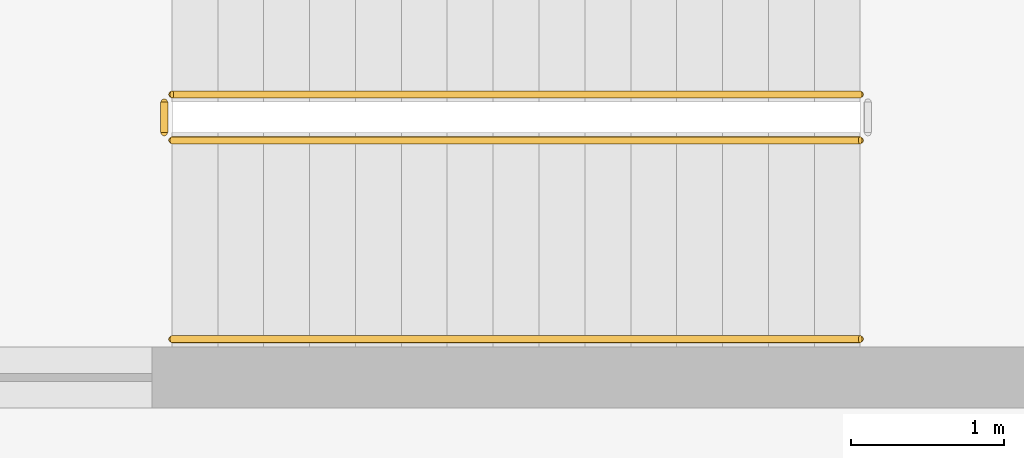
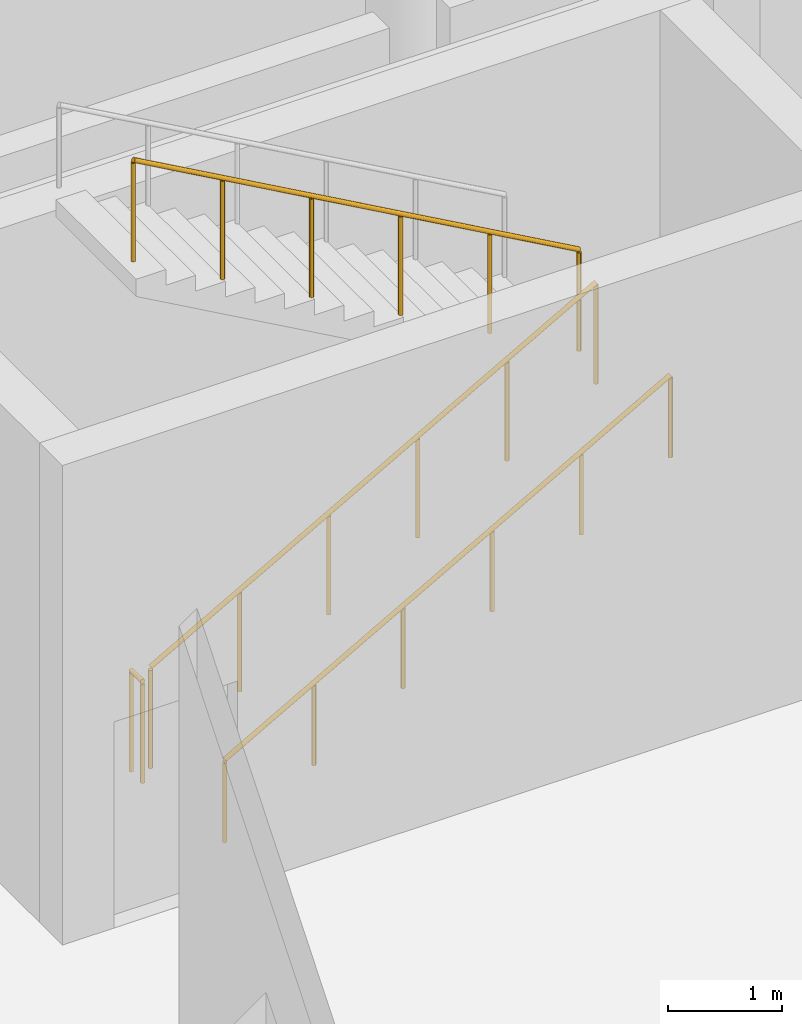
# One storey, part 76 of 88: 4 railings.
"""IFC4 building model written with IfcOpenShell, lengths in metres."""

from ifc_helpers import new_model, si_unit, direction, frame, origin, origin_2d, place, context, subcontext, project, spatial, circle, extrude, material, type_object, element, save


model = new_model("IFC4")

# Units and contexts
model_context = context("Model", 3, precision=1e-05, world=origin(), true_north=direction((0.0, 1.0)))
body_context = subcontext(model_context, "Body", "Model", "MODEL_VIEW")
ifc_project = project(units=[si_unit("LENGTHUNIT", "METRE"), si_unit("AREAUNIT", "SQUARE_METRE"), si_unit("VOLUMEUNIT", "CUBIC_METRE"), si_unit("PLANEANGLEUNIT", "RADIAN"), si_unit("MASSUNIT", "GRAM", prefix="KILO")], contexts=[model_context])

# Site, building, storey
site_placement = place(None, origin())
site = spatial("IfcSite", under=ifc_project, at=site_placement, CompositionType="ELEMENT")
building_placement = place(site_placement, origin())
building = spatial("IfcBuilding", under=site, at=building_placement, Name="Birchvale Park Specialist Clinic", CompositionType="ELEMENT")
storey_placement = place(building_placement, origin())
storey = spatial("IfcBuildingStorey", under=building, at=storey_placement, Name="L00", CompositionType="ELEMENT", Elevation=0.0)

# Railings
ifc_material_1 = material(Name="Brushed stainless steel guard railing", Category="steel")
railing_type_1 = type_object("IfcRailingType", Name="RL-GRD1", PredefinedType="GUARDRAIL", material=ifc_material_1)
railing_1_placement = place(storey_placement, frame((63.699951171875, 31.550048828125, 0.168701171875)))
element("IfcRailing", 1, at=railing_1_placement, inside=storey, type_object=railing_type_1, Name="L00 ST4 stair guard 1", PredefinedType="GUARDRAIL", context=body_context, shape_type="SweptSolid", body=[
    extrude(circle(Radius=0.02392578125, at=origin_2d()), frame((0.0, 0.0, 1.076171875), z_axis=(0.871575537125, 0.0, 0.490261239633), x_axis=(0.0, 1.0, 0.0)), (0.0, 0.0, 1.0), 5.1630859375),
    extrude(circle(Radius=0.02099609375, at=origin_2d()), origin(), (0.0, 0.0, 1.0), 1.052001953125),
    extrude(circle(Radius=0.02099609375, at=origin_2d()), frame((0.89990234375, 0.0, 0.50634765625)), (0.0, 0.0, 1.0), 1.052001953125),
    extrude(circle(Radius=0.02099609375, at=origin_2d()), frame((1.800048828125, 0.0, 1.012451171875)), (0.0, 0.0, 1.0), 1.052001953125),
    extrude(circle(Radius=0.02099609375, at=origin_2d()), frame((2.699951171875, 0.0, 1.518798828125)), (0.0, 0.0, 1.0), 1.052001953125),
    extrude(circle(Radius=0.02099609375, at=origin_2d()), frame((3.60009765625, 0.0, 2.02490234375)), (0.0, 0.0, 1.0), 1.052001953125),
    extrude(circle(Radius=0.02099609375, at=origin_2d()), frame((4.5, 0.0, 2.53125)), (0.0, 0.0, 1.0), 1.052001953125),
])
railing_2_placement = place(storey_placement, frame((68.199951171875, 31.85009765625, 2.86865234375)))
element("IfcRailing", 2, at=railing_2_placement, inside=storey, type_object=railing_type_1, Name="L00 ST4 stair guard 3", PredefinedType="GUARDRAIL", context=body_context, shape_type="SweptSolid", body=[
    extrude(circle(Radius=0.02392578125, at=origin_2d()), frame((0.0, 0.0, 1.076171875), z_axis=(-0.871575537125, 0.0, 0.490261239633), x_axis=(0.0, -1.0, 0.0)), (0.0, 0.0, 1.0), 5.1630859375),
    extrude(circle(Radius=0.02099609375, at=origin_2d()), origin(), (0.0, 0.0, 1.0), 1.052001953125),
    extrude(circle(Radius=0.02099609375, at=origin_2d()), frame((-0.89990234375, 0.0, 0.50634765625)), (0.0, 0.0, 1.0), 1.052001953125),
    extrude(circle(Radius=0.02099609375, at=origin_2d()), frame((-1.800048828125, 0.0, 1.012451171875)), (0.0, 0.0, 1.0), 1.052001953125),
    extrude(circle(Radius=0.02099609375, at=origin_2d()), frame((-2.699951171875, 0.0, 1.518798828125)), (0.0, 0.0, 1.0), 1.052001953125),
    extrude(circle(Radius=0.02099609375, at=origin_2d()), frame((-3.60009765625, 0.0, 2.02490234375)), (0.0, 0.0, 1.0), 1.052001953125),
    extrude(circle(Radius=0.02099609375, at=origin_2d()), frame((-4.5, 0.0, 2.53125)), (0.0, 0.0, 1.0), 1.052001953125),
])
railing_3_placement = place(storey_placement, frame((63.64990234375, 31.60009765625, 0.0)))
element("IfcRailing", 3, at=railing_3_placement, inside=storey, type_object=railing_type_1, Name="L00 ST4 stair guard 4", PredefinedType="GUARDRAIL", context=body_context, shape_type="SweptSolid", body=[
    extrude(circle(Radius=0.02392578125, at=origin_2d()), frame((0.0, 0.0, 1.076171875), z_axis=(0.0, 1.0, 0.0), x_axis=(-1.0, 0.0, 0.0)), (0.0, 0.0, 1.0), 0.199951171875),
    extrude(circle(Radius=0.02099609375, at=origin_2d()), origin(), (0.0, 0.0, 1.0), 1.052001953125),
    extrude(circle(Radius=0.02099609375, at=origin_2d()), frame((0.0, 0.199951171875, 0.0)), (0.0, 0.0, 1.0), 1.052001953125),
])
ifc_material_2 = material(Name="Anodised aluminium handrail", Category="aluminium")
railing_type_2 = type_object("IfcRailingType", Name="RL-HND1", PredefinedType="HANDRAIL", material=ifc_material_2)
railing_4_placement = place(storey_placement, frame((63.699951171875, 30.25, 0.168701171875)))
element("IfcRailing", 4, at=railing_4_placement, inside=storey, type_object=railing_type_2, Name="L00 ST4 stair handrail 1", PredefinedType="HANDRAIL", context=body_context, shape_type="SweptSolid", body=[
    extrude(circle(Radius=0.02392578125, at=origin_2d()), frame((0.0, 0.0, 0.8759765625), z_axis=(0.871575537125, 0.0, 0.490261239633), x_axis=(0.0, 1.0, 0.0)), (0.0, 0.0, 1.0), 5.1630859375),
    extrude(circle(Radius=0.02099609375, at=origin_2d()), origin(), (0.0, 0.0, 1.0), 0.851806640625),
    extrude(circle(Radius=0.02099609375, at=origin_2d()), frame((0.89990234375, 0.0, 0.50634765625)), (0.0, 0.0, 1.0), 0.851806640625),
    extrude(circle(Radius=0.02099609375, at=origin_2d()), frame((1.800048828125, 0.0, 1.012451171875)), (0.0, 0.0, 1.0), 0.851806640625),
    extrude(circle(Radius=0.02099609375, at=origin_2d()), frame((2.699951171875, 0.0, 1.518798828125)), (0.0, 0.0, 1.0), 0.851806640625),
    extrude(circle(Radius=0.02099609375, at=origin_2d()), frame((3.60009765625, 0.0, 2.02490234375)), (0.0, 0.0, 1.0), 0.851806640625),
    extrude(circle(Radius=0.02099609375, at=origin_2d()), frame((4.5, 0.0, 2.53125)), (0.0, 0.0, 1.0), 0.851806640625),
])

save(model, "model.ifc")
